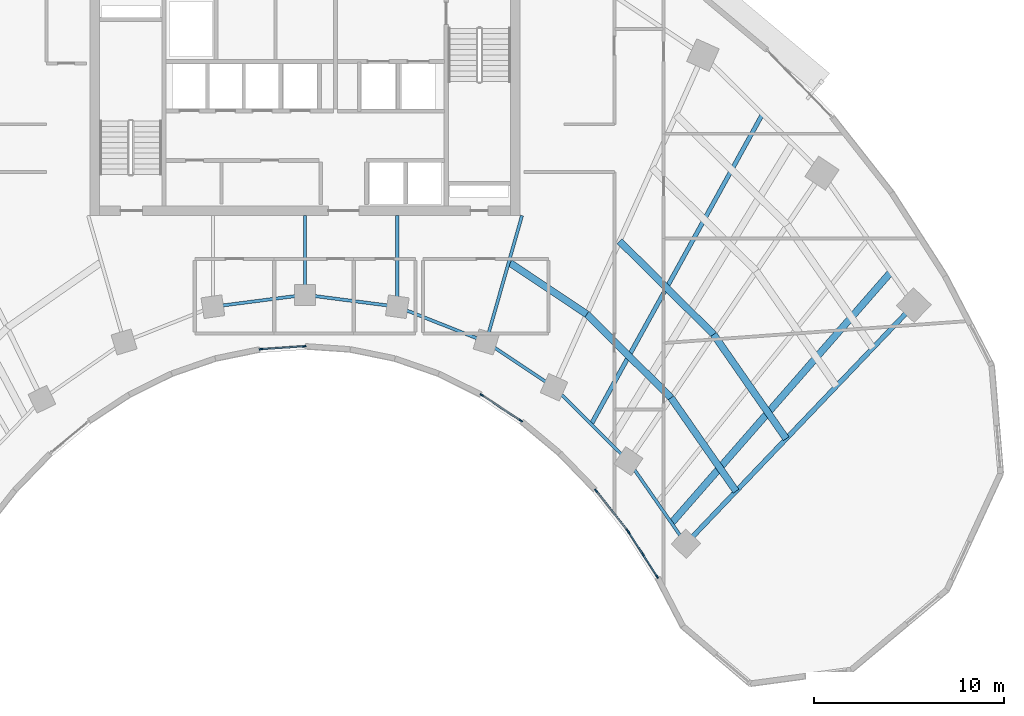
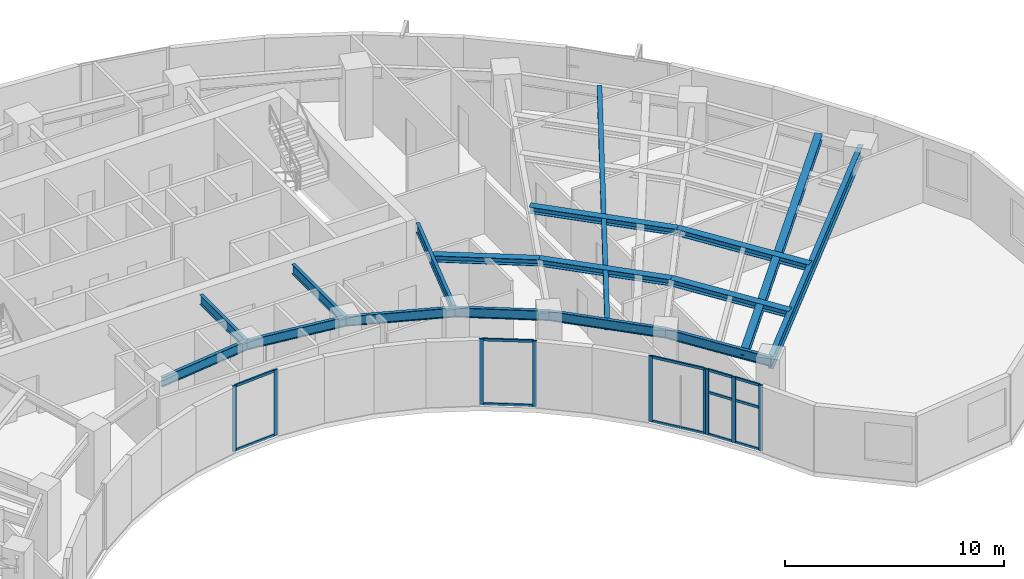
# One storey, part 3 of 14: 21 members, 17 beams, 4 elements without a shape of their own.
"""IFC4 building model written with IfcOpenShell, lengths in metres."""

import ifcopenshell
import ifcopenshell.guid

model = None  # the IFC model being written
_history = None  # IfcOwnerHistory: only IFC2X3 demands one
_inside = {}  # id of a spatial element -> (the spatial element, [elements in it])
_under = {}  # id of a project, library or spatial element -> (it, [spatial elements below it])
_declared = {}  # id of a project -> (the project, [libraries it declares])
_typed = {}  # id of a type object -> (the type object, [elements of that type])
_made_of = {}  # id of a material, layer set ... -> (it, [elements and type objects made of it])


def new_model(schema):
    """Start an empty IFC model of exactly this schema.

    Asked for "IFC4X3", IfcOpenShell would pick the latest addendum, in which some entities
    have other attributes; the version numbers below select the first issue.
    IFC2X3 requires an IfcOwnerHistory on every rooted entity: one is made here for all.
    """
    global model, _history
    if schema == "IFC4X3":
        model = ifcopenshell.file(schema_version=(4, 3, 0, 0))
    else:
        model = ifcopenshell.file(schema=schema)
    _inside.clear()
    _under.clear()
    _declared.clear()
    _typed.clear()
    _made_of.clear()
    _history = None
    if model.schema == "IFC2X3":
        org = make("IfcOrganization", Name="unknown")
        user = make(
            "IfcPersonAndOrganization",
            ThePerson=make("IfcPerson", FamilyName="unknown"),
            TheOrganization=org,
        )
        app = make(
            "IfcApplication",
            ApplicationDeveloper=org,
            Version="unknown",
            ApplicationFullName="unknown",
            ApplicationIdentifier="unknown",
        )
        _history = make(
            "IfcOwnerHistory",
            OwningUser=user,
            OwningApplication=app,
            ChangeAction="ADDED",
            CreationDate=0,
        )
    return model


def make(cls, **values):
    """One entity of the class cls with the attributes given. An attribute that is None is left unset."""
    return model.create_entity(
        cls, **{name: value for name, value in values.items() if value is not None}
    )


def rooted(cls, **values):
    """An entity with a GlobalId (a new one), such as an element, a storey or a relation."""
    return make(cls, GlobalId=ifcopenshell.guid.new(), OwnerHistory=_history, **values)


def si_unit(unit_type, name, prefix=None):
    """IfcSIUnit, for example si_unit("LENGTHUNIT", "METRE", prefix="MILLI")."""
    return make("IfcSIUnit", UnitType=unit_type, Prefix=prefix, Name=name)


def assignment(units):
    """IfcUnitAssignment: the units of a project."""
    return None if units is None else make("IfcUnitAssignment", Units=units)


def point(xyz):
    """IfcCartesianPoint."""
    return None if xyz is None else make("IfcCartesianPoint", Coordinates=xyz)


def direction(xyz):
    """IfcDirection."""
    return None if xyz is None else make("IfcDirection", DirectionRatios=xyz)


def frame(location, z_axis=None, x_axis=None):
    """IfcAxis2Placement3D, a coordinate frame: its origin and axes. An axis left out is left unset."""
    return make(
        "IfcAxis2Placement3D",
        Location=point(location),
        Axis=direction(z_axis),
        RefDirection=direction(x_axis),
    )


def frame_2d(location, x_axis=None):
    """IfcAxis2Placement2D, a coordinate frame in the plane: its origin and x axis."""
    return make(
        "IfcAxis2Placement2D", Location=point(location), RefDirection=direction(x_axis)
    )


def origin():
    """The frame at (0, 0, 0) with its axes left unset."""
    return frame((0.0, 0.0, 0.0))


def origin_2d():
    """The frame at (0, 0) in the plane with its x axis left unset."""
    return frame_2d((0.0, 0.0))


def place(relative_to, where):
    """IfcLocalPlacement: puts the frame where relative to a parent placement (None: the world)."""
    return make(
        "IfcLocalPlacement", PlacementRelTo=relative_to, RelativePlacement=where
    )


def context(
    kind, dimensions, precision=None, world=None, true_north=None, identifier=None
):
    """IfcGeometricRepresentationContext, for example the 3D "Model" context."""
    return make(
        "IfcGeometricRepresentationContext",
        ContextIdentifier=identifier,
        ContextType=kind,
        CoordinateSpaceDimension=dimensions,
        Precision=precision,
        WorldCoordinateSystem=world,
        TrueNorth=true_north,
    )


def subcontext(parent, identifier, kind, view, scale=None):
    """IfcGeometricRepresentationSubContext, for example "Body" below "Model"."""
    return make(
        "IfcGeometricRepresentationSubContext",
        ContextIdentifier=identifier,
        ContextType=kind,
        ParentContext=parent,
        TargetScale=scale,
        TargetView=view,
    )


def project(units=None, contexts=None):
    """IfcProject with its units and contexts."""
    return rooted(
        "IfcProject",
        Name="project",
        RepresentationContexts=contexts,
        UnitsInContext=assignment(units),
    )


def spatial(cls, under=None, at=None, **own):
    """A site, building, storey or space (cls), placed at a placement, below another one or the project."""
    s = rooted(cls, ObjectPlacement=at, **own)
    if under is not None:
        _under.setdefault(under.id(), (under, []))[1].append(s)
    return s


def profile(cls, at=None, kind="AREA", **sizes):
    """A parametric profile (cls). Its sizes go by their IFC names, for example OverallWidth=200.0."""
    return make(cls, ProfileType=kind, Position=at, **sizes)


def rectangle(**sizes):
    """IfcRectangleProfileDef."""
    return profile("IfcRectangleProfileDef", **sizes)


def i_section(**sizes):
    """IfcIShapeProfileDef."""
    return profile("IfcIShapeProfileDef", **sizes)


def extrude(swept, where, along, depth):
    """IfcExtrudedAreaSolid: the profile swept, set in the frame where, extruded along a direction by depth."""
    return make(
        "IfcExtrudedAreaSolid",
        SweptArea=swept,
        Position=where,
        ExtrudedDirection=direction(along),
        Depth=depth,
    )


def shape(context_of_items, identifier, shape_type, items):
    """IfcShapeRepresentation: the items that make up one representation, for example the "Body"."""
    return make(
        "IfcShapeRepresentation",
        ContextOfItems=context_of_items,
        RepresentationIdentifier=identifier,
        RepresentationType=shape_type,
        Items=items,
    )


def source(mapping_origin, context_of_items, identifier, shape_type, items):
    """IfcRepresentationMap: a shape defined once, which mapped items show again and again."""
    return make(
        "IfcRepresentationMap",
        MappingOrigin=mapping_origin,
        MappedRepresentation=shape(context_of_items, identifier, shape_type, items),
    )


def transform(
    local_origin,
    x_axis=None,
    y_axis=None,
    z_axis=None,
    scale=None,
    scale2=None,
    scale3=None,
    uniform=True,
):
    """IfcCartesianTransformationOperator3D, or its non-uniform kind. x_axis, y_axis, z_axis: its Axis1, 2, 3."""
    if uniform:
        return make(
            "IfcCartesianTransformationOperator3D",
            Axis1=direction(x_axis),
            Axis2=direction(y_axis),
            LocalOrigin=point(local_origin),
            Scale=scale,
            Axis3=direction(z_axis),
        )
    return make(
        "IfcCartesianTransformationOperator3DnonUniform",
        Axis1=direction(x_axis),
        Axis2=direction(y_axis),
        LocalOrigin=point(local_origin),
        Scale=scale,
        Axis3=direction(z_axis),
        Scale2=scale2,
        Scale3=scale3,
    )


def mapped(mapping_source, mapping_target):
    """IfcMappedItem: shows the shape of a source again, moved by a transform."""
    return make(
        "IfcMappedItem", MappingSource=mapping_source, MappingTarget=mapping_target
    )


def material(Name=None, Category=None):
    """IfcMaterial."""
    return make("IfcMaterial", Name=Name, Category=Category)


def layer(
    of_material, thickness, ventilated=None, Name=None, Category=None, Priority=None
):
    """IfcMaterialLayer: one layer of a wall or slab, of a material (None: an air gap)."""
    return make(
        "IfcMaterialLayer",
        Material=of_material,
        LayerThickness=thickness,
        IsVentilated=ventilated,
        Name=Name,
        Category=Category,
        Priority=Priority,
    )


def layer_set(layers, Name=None):
    """IfcMaterialLayerSet."""
    return make("IfcMaterialLayerSet", MaterialLayers=layers, LayerSetName=Name)


def material_profile(
    of_material, cross_section, Name=None, Category=None, Priority=None
):
    """IfcMaterialProfile: a cross section and its material."""
    return make(
        "IfcMaterialProfile",
        Name=Name,
        Material=of_material,
        Profile=cross_section,
        Priority=Priority,
        Category=Category,
    )


def profile_set(profiles, Name=None, composite=None):
    """IfcMaterialProfileSet."""
    return make(
        "IfcMaterialProfileSet",
        Name=Name,
        MaterialProfiles=profiles,
        CompositeProfile=composite,
    )


def made_of(thing, what):
    """Note that an element or type object is made of a material, layer set ...; save() writes the relation."""
    if what is not None:
        _made_of.setdefault(what.id(), (what, []))[1].append(thing)
    return thing


def type_object(cls, material=None, **own):
    """A type object (cls), such as IfcWallType, which elements share."""
    return made_of(rooted(cls, **own), material)


def type_shapes(of_type, sources):
    """Give a type object the sources (RepresentationMaps) that its elements show as mapped items."""
    of_type.RepresentationMaps = sources


def element(
    cls,
    number,
    at=None,
    inside=None,
    cuts=None,
    type_object=None,
    material=None,
    context=None,
    identifier="Body",
    shape_type=None,
    held_by="IfcProductDefinitionShape",
    body=None,
    shapes=None,
    **own,
):
    """One element of the class cls, such as IfcWall. Its Tag is "e" and its number.

    at: its placement. inside: the storey or other place that contains it. cuts: it is an
    opening in that element (IfcRelVoidsElement). A single representation is given by context,
    identifier, shape_type and body (its items); several are given by shapes. held_by: the class
    of the entity that holds the representations. save() writes the other relations.
    """
    e = rooted(cls, Tag="e%d" % number, ObjectPlacement=at, **own)
    if body is not None:
        shapes = [shape(context, identifier, shape_type, body)]
    if shapes is not None:
        e.Representation = make(held_by, Representations=shapes)
    if inside is not None:
        _inside.setdefault(inside.id(), (inside, []))[1].append(e)
    if cuts is not None:
        rooted(
            "IfcRelVoidsElement", RelatingBuildingElement=cuts, RelatedOpeningElement=e
        )
    if type_object is not None:
        _typed.setdefault(type_object.id(), (type_object, []))[1].append(e)
    return made_of(e, material)


def aggregate(whole, parts):
    """IfcRelAggregates: a whole, such as a stair, and the parts it consists of."""
    return rooted("IfcRelAggregates", RelatingObject=whole, RelatedObjects=parts)


def save(model, path):
    """Write the relations noted so far, then the file.

    IfcRelAggregates (storeys below a building ...), IfcRelContainedInSpatialStructure (elements
    in a storey), IfcRelDefinesByType, IfcRelAssociatesMaterial and IfcRelDeclares: one each for
    every whole, place, type object, material and project.
    """
    for whole, parts in _under.values():
        aggregate(whole, parts)
    for where, things in _inside.values():
        rooted(
            "IfcRelContainedInSpatialStructure",
            RelatedElements=things,
            RelatingStructure=where,
        )
    for kind, things in _typed.values():
        rooted("IfcRelDefinesByType", RelatedObjects=things, RelatingType=kind)
    for what, things in _made_of.values():
        rooted("IfcRelAssociatesMaterial", RelatedObjects=things, RelatingMaterial=what)
    for by, libraries in _declared.values():
        rooted("IfcRelDeclares", RelatingContext=by, RelatedDefinitions=libraries)
    model.write(path)


model = new_model("IFC4")

# Units and contexts
model_context = context("Model", 3, precision=1e-05, world=origin(), true_north=direction((0.0, 1.0)))
body_context = subcontext(model_context, "Body", "Model", "MODEL_VIEW")
ifc_project = project(units=[si_unit("LENGTHUNIT", "METRE"), si_unit("AREAUNIT", "SQUARE_METRE"), si_unit("VOLUMEUNIT", "CUBIC_METRE"), si_unit("PLANEANGLEUNIT", "RADIAN"), si_unit("MASSUNIT", "GRAM", prefix="KILO")], contexts=[model_context])

# Site, building, storey
site_placement = place(None, origin())
site = spatial("IfcSite", under=ifc_project, at=site_placement, CompositionType="ELEMENT")
building_placement = place(site_placement, origin())
building = spatial("IfcBuilding", under=site, at=building_placement, Name="Breltana Convention Tower", CompositionType="ELEMENT")
storey_placement = place(building_placement, frame((0.0, 0.0, 103.800048828125)))
storey = spatial("IfcBuildingStorey", under=building, at=storey_placement, Name="L24", CompositionType="ELEMENT", Elevation=103.800048828125)

# Beams
ifc_material_1 = material(Name="Steel ASTM A992 Grade 50", Category="steel")
ifc_material_profile_1 = material_profile(ifc_material_1, i_section(OverallWidth=0.25390625, OverallDepth=0.68798828125, WebThickness=0.01318359375, FlangeThickness=0.02099609375, at=origin_2d()), Name="W27X102")
ifc_profile_set_1 = profile_set([ifc_material_profile_1], Name="Steel ASTM A992 Grade 50")
beam_type_1 = type_object("IfcBeamType", Name="BM-RG-W27X102", PredefinedType="USERDEFINED", material=ifc_profile_set_1)
shared_shape_1 = source(origin(), body_context, "Body", "SweptSolid", [
    extrude(i_section(OverallWidth=0.25390625, OverallDepth=0.68798828125, WebThickness=0.01318359375, FlangeThickness=0.02099609375, at=origin_2d()), origin(), (0.0, 0.0, 1.0), 17.341064453125),
])
type_shapes(beam_type_1, [shared_shape_1])
beam_1_placement = place(storey_placement, frame((68.015380859375, 42.95458984375, 3.305908203125), z_axis=(0.690716462293, 0.723125693581, 0.0), x_axis=(-0.723125693581, 0.690716462293, 0.0)))
element("IfcBeam", 1, at=beam_1_placement, inside=storey, type_object=beam_type_1, Name="L24 Radial Floor Girder R11", ObjectType="GIRDER", PredefinedType="USERDEFINED", context=body_context, shape_type="MappedRepresentation", body=[
    mapped(shared_shape_1, transform((0.0, 0.0, 0.0), scale=1.0)),
])
ifc_material_profile_2 = material_profile(ifc_material_1, i_section(OverallWidth=0.166015625, OverallDepth=0.534912109375, WebThickness=0.01025390625, FlangeThickness=0.0166015625, at=origin_2d()), Name="W21X57")
ifc_profile_set_2 = profile_set([ifc_material_profile_2], Name="Steel ASTM A992 Grade 50")
beam_type_2 = type_object("IfcBeamType", Name="BM-BM-W21X57", PredefinedType="BEAM", material=ifc_profile_set_2)
shared_shape_2 = source(origin(), body_context, "Body", "SweptSolid", [
    extrude(i_section(OverallWidth=0.166015625, OverallDepth=0.534912109375, WebThickness=0.01025390625, FlangeThickness=0.0166015625, at=origin_2d()), origin(), (0.0, 0.0, 1.0), 6.904541015625),
])
type_shapes(beam_type_2, [shared_shape_2])
beam_2_placement = place(storey_placement, frame((59.39990234375, 60.199951171875, 3.382568359375), z_axis=(-0.273006781054, -0.962012108811, 0.0), x_axis=(0.962012108811, -0.273006781054, 0.0)))
element("IfcBeam", 2, at=beam_2_placement, inside=storey, type_object=beam_type_2, Name="L24 South Core Tie Girder R08", PredefinedType="BEAM", context=body_context, shape_type="MappedRepresentation", body=[
    mapped(shared_shape_2, transform((0.0, 0.0, 0.0), scale=1.0)),
])
shared_shape_3 = source(origin(), body_context, "Body", "SweptSolid", [
    extrude(i_section(OverallWidth=0.166015625, OverallDepth=0.534912109375, WebThickness=0.01025390625, FlangeThickness=0.0166015625, at=origin_2d()), origin(), (0.0, 0.0, 1.0), 4.789306640625),
])
beam_3_placement = place(storey_placement, frame((52.846435546875, 60.199951171875, 3.382568359375), z_axis=(0.0, -1.0, 0.0), x_axis=(1.0, 0.0, 0.0)))
element("IfcBeam", 3, at=beam_3_placement, inside=storey, type_object=beam_type_2, Name="L24 South Core Tie Girder R07", PredefinedType="BEAM", context=body_context, shape_type="MappedRepresentation", body=[
    mapped(shared_shape_3, transform((0.0, 0.0, 0.0), scale=1.0)),
])
shared_shape_4 = source(origin(), body_context, "Body", "SweptSolid", [
    extrude(i_section(OverallWidth=0.166015625, OverallDepth=0.534912109375, WebThickness=0.01025390625, FlangeThickness=0.0166015625, at=origin_2d()), origin(), (0.0, 0.0, 1.0), 4.1640625),
])
beam_4_placement = place(storey_placement, frame((48.0, 60.199951171875, 3.382568359375), z_axis=(0.0, -1.0, 0.0), x_axis=(1.0, 0.0, 0.0)))
element("IfcBeam", 4, at=beam_4_placement, inside=storey, type_object=beam_type_2, Name="L24 South Core Tie Girder R06", PredefinedType="BEAM", context=body_context, shape_type="MappedRepresentation", body=[
    mapped(shared_shape_4, transform((0.0, 0.0, 0.0), scale=1.0)),
])
shared_shape_5 = source(origin(), body_context, "Body", "SweptSolid", [
    extrude(i_section(OverallWidth=0.166015625, OverallDepth=0.534912109375, WebThickness=0.01025390625, FlangeThickness=0.0166015625, at=origin_2d()), origin(), (0.0, 0.0, 1.0), 5.022705078125),
])
beam_5_placement = place(storey_placement, frame((52.846435546875, 55.41064453125, 3.382568359375), z_axis=(0.929458966248, -0.368925507469, 0.0), x_axis=(0.368925507469, 0.929458966248, 0.0)))
element("IfcBeam", 5, at=beam_5_placement, inside=storey, type_object=beam_type_2, Name="L24 Inner Ring Beam 07", PredefinedType="BEAM", context=body_context, shape_type="MappedRepresentation", body=[
    mapped(shared_shape_5, transform((0.0, 0.0, 0.0), scale=1.0)),
])
shared_shape_6 = source(origin(), body_context, "Body", "SweptSolid", [
    extrude(i_section(OverallWidth=0.166015625, OverallDepth=0.534912109375, WebThickness=0.01025390625, FlangeThickness=0.0166015625, at=origin_2d()), origin(), (0.0, 0.0, 1.0), 4.88671875),
])
for number, where, z_axis, x_axis, name in (
    (6, (43.153564453125, 55.41064453125, 3.382568359375), (0.991780525565, 0.127950729231, 0.0), (-0.127950729231, 0.991780525565, 0.0), "L24 Inner Ring Beam 05"),
    (7, (48.0, 56.035888671875, 3.382568359375), (0.991780525565, -0.127950729231, 0.0), (0.127950729231, 0.991780525565, 0.0), "L24 Inner Ring Beam 06"),
):
    element("IfcBeam", number, at=place(storey_placement, frame(where, z_axis=z_axis, x_axis=x_axis)), inside=storey, type_object=beam_type_2, Name=name, PredefinedType="BEAM", context=body_context, shape_type="MappedRepresentation", body=[
        mapped(shared_shape_6, transform((0.0, 0.0, 0.0), scale=1.0)),
    ])
shared_shape_7 = source(origin(), body_context, "Body", "SweptSolid", [
    extrude(i_section(OverallWidth=0.166015625, OverallDepth=0.534912109375, WebThickness=0.01025390625, FlangeThickness=0.0166015625, at=origin_2d()), origin(), (0.0, 0.0, 1.0), 4.2900390625),
])
beam_6_placement = place(storey_placement, frame((57.514892578125, 53.5576171875, 3.382568359375), z_axis=(0.831515827753, -0.555501060482, 0.0), x_axis=(0.555501060482, 0.831515827753, 0.0)))
element("IfcBeam", 8, at=beam_6_placement, inside=storey, type_object=beam_type_2, Name="L24 Inner Ring Beam 08", PredefinedType="BEAM", context=body_context, shape_type="MappedRepresentation", body=[
    mapped(shared_shape_7, transform((0.0, 0.0, 0.0), scale=1.0)),
])
shared_shape_8 = source(origin(), body_context, "Body", "SweptSolid", [
    extrude(i_section(OverallWidth=0.166015625, OverallDepth=0.534912109375, WebThickness=0.01025390625, FlangeThickness=0.0166015625, at=origin_2d()), origin(), (0.0, 0.0, 1.0), 5.51171875),
])
beam_7_placement = place(storey_placement, frame((61.08203125, 51.174560546875, 3.382568359375), z_axis=(0.710090360749, -0.704110559196, 0.0), x_axis=(0.704110559196, 0.710090360749, 0.0)))
element("IfcBeam", 9, at=beam_7_placement, inside=storey, type_object=beam_type_2, Name="L24 Inner Ring Beam 09", PredefinedType="BEAM", context=body_context, shape_type="MappedRepresentation", body=[
    mapped(shared_shape_8, transform((0.0, 0.0, 0.0), scale=1.0)),
])
shared_shape_9 = source(origin(), body_context, "Body", "SweptSolid", [
    extrude(i_section(OverallWidth=0.166015625, OverallDepth=0.534912109375, WebThickness=0.01025390625, FlangeThickness=0.0166015625, at=origin_2d()), origin(), (0.0, 0.0, 1.0), 5.286376953125),
])
beam_8_placement = place(storey_placement, frame((64.995849609375, 47.293701171875, 3.382568359375), z_axis=(0.571194382458, -0.82081482531, 0.0), x_axis=(0.82081482531, 0.571194382458, 0.0)))
element("IfcBeam", 10, at=beam_8_placement, inside=storey, type_object=beam_type_2, Name="L24 Inner Ring Beam 10", PredefinedType="BEAM", context=body_context, shape_type="MappedRepresentation", body=[
    mapped(shared_shape_9, transform((0.0, 0.0, 0.0), scale=1.0)),
])
ifc_material_profile_3 = material_profile(ifc_material_1, i_section(OverallWidth=0.368896484375, OverallDepth=0.35595703125, WebThickness=0.01123046875, FlangeThickness=0.01806640625, at=origin_2d()), Name="W14X90")
ifc_profile_set_3 = profile_set([ifc_material_profile_3], Name="Steel ASTM A992 Grade 50")
beam_type_3 = type_object("IfcBeamType", Name="BM-JSG-09", PredefinedType="JOIST", material=ifc_profile_set_3)
shared_shape_10 = source(origin(), body_context, "Body", "SweptSolid", [
    extrude(i_section(OverallWidth=0.368896484375, OverallDepth=0.35595703125, WebThickness=0.01123046875, FlangeThickness=0.01806640625, at=origin_2d()), origin(), (0.0, 0.0, 1.0), 4.854736328125),
])
beam_9_placement = place(storey_placement, frame((58.767578125, 57.71240234375, 3.471923828125), z_axis=(0.831485074305, -0.555547091801, 0.0), x_axis=(0.555547091801, 0.831485074305, 0.0)))
element("IfcBeam", 11, at=beam_9_placement, inside=storey, type_object=beam_type_3, Name="L24 Composite Floor Joist 08.1", PredefinedType="JOIST", context=body_context, shape_type="MappedRepresentation", body=[
    mapped(shared_shape_10, transform((0.0, 0.0, 0.0), scale=1.0)),
])
shared_shape_11 = source(origin(), body_context, "Body", "SweptSolid", [
    extrude(i_section(OverallWidth=0.368896484375, OverallDepth=0.35595703125, WebThickness=0.01123046875, FlangeThickness=0.01806640625, at=origin_2d()), origin(), (0.0, 0.0, 1.0), 6.2373046875),
])
beam_10_placement = place(storey_placement, frame((62.80419921875, 55.015380859375, 3.471923828125), z_axis=(0.710114292485, -0.704086423394, 0.0), x_axis=(0.704086423394, 0.710114292485, 0.0)))
element("IfcBeam", 12, at=beam_10_placement, inside=storey, type_object=beam_type_3, Name="L24 Composite Floor Joist 09.1", PredefinedType="JOIST", context=body_context, shape_type="MappedRepresentation", body=[
    mapped(shared_shape_11, transform((0.0, 0.0, 0.0), scale=1.0)),
])
shared_shape_12 = source(origin(), body_context, "Body", "SweptSolid", [
    extrude(i_section(OverallWidth=0.368896484375, OverallDepth=0.35595703125, WebThickness=0.01123046875, FlangeThickness=0.01806640625, at=origin_2d()), origin(), (0.0, 0.0, 1.0), 6.963134765625),
])
beam_11_placement = place(storey_placement, frame((64.526611328125, 58.8564453125, 3.471923828125), z_axis=(0.71009817493, -0.704102678564, 0.0), x_axis=(0.704102678564, 0.71009817493, 0.0)))
element("IfcBeam", 13, at=beam_11_placement, inside=storey, type_object=beam_type_3, Name="L24 Composite Floor Joist 09.2", PredefinedType="JOIST", context=body_context, shape_type="MappedRepresentation", body=[
    mapped(shared_shape_12, transform((0.0, 0.0, 0.0), scale=1.0)),
])
ifc_material_profile_4 = material_profile(ifc_material_1, i_section(OverallWidth=0.22802734375, OverallDepth=0.60791015625, WebThickness=0.01123046875, FlangeThickness=0.017333984375, at=origin_2d()), Name="W24X76")
ifc_profile_set_4 = profile_set([ifc_material_profile_4], Name="Steel ASTM A992 Grade 50")
beam_type_4 = type_object("IfcBeamType", Name="BM-JSG-02", PredefinedType="JOIST", material=ifc_profile_set_4)
shared_shape_13 = source(origin(), body_context, "Body", "SweptSolid", [
    extrude(i_section(OverallWidth=0.22802734375, OverallDepth=0.60791015625, WebThickness=0.01123046875, FlangeThickness=0.017333984375, at=origin_2d()), origin(), (0.0, 0.0, 1.0), 18.617431640625),
])
beam_12_placement = place(storey_placement, frame((63.038818359375, 49.234130859375, 3.345947265625), z_axis=(0.483405602507, 0.875396495004, 0.0), x_axis=(-0.875396495004, 0.483405602507, 0.0)))
element("IfcBeam", 14, at=beam_12_placement, inside=storey, type_object=beam_type_4, Name="L24 Mid-Bay Radial Trimmer 09", PredefinedType="JOIST", context=body_context, shape_type="MappedRepresentation", body=[
    mapped(shared_shape_13, transform((0.0, 0.0, 0.0), scale=1.0)),
])
shared_shape_14 = source(origin(), body_context, "Body", "SweptSolid", [
    extrude(i_section(OverallWidth=0.368896484375, OverallDepth=0.35595703125, WebThickness=0.01123046875, FlangeThickness=0.01806640625, at=origin_2d()), origin(), (0.0, 0.0, 1.0), 5.982421875),
])
beam_13_placement = place(storey_placement, frame((67.2333984375, 50.623779296875, 3.471923828125), z_axis=(0.571211549446, -0.82080287876, 0.0), x_axis=(0.82080287876, 0.571211549446, 0.0)))
element("IfcBeam", 15, at=beam_13_placement, inside=storey, type_object=beam_type_3, Name="L24 Composite Floor Joist 10.1", PredefinedType="JOIST", context=body_context, shape_type="MappedRepresentation", body=[
    mapped(shared_shape_14, transform((0.0, 0.0, 0.0), scale=1.0)),
])
shared_shape_15 = source(origin(), body_context, "Body", "SweptSolid", [
    extrude(i_section(OverallWidth=0.368896484375, OverallDepth=0.35595703125, WebThickness=0.01123046875, FlangeThickness=0.01806640625, at=origin_2d()), origin(), (0.0, 0.0, 1.0), 6.677978515625),
])
beam_14_placement = place(storey_placement, frame((69.47119140625, 53.95361328125, 3.471923828125), z_axis=(0.571193018768, -0.820815774282, 0.0), x_axis=(0.820815774282, 0.571193018768, 0.0)))
element("IfcBeam", 16, at=beam_14_placement, inside=storey, type_object=beam_type_3, Name="L24 Composite Floor Joist 10.2", PredefinedType="JOIST", context=body_context, shape_type="MappedRepresentation", body=[
    mapped(shared_shape_15, transform((0.0, 0.0, 0.0), scale=1.0)),
])
shared_shape_16 = source(origin(), body_context, "Body", "SweptSolid", [
    extrude(i_section(OverallWidth=0.368896484375, OverallDepth=0.35595703125, WebThickness=0.01123046875, FlangeThickness=0.01806640625, at=origin_2d()), origin(), (0.0, 0.0, 1.0), 17.515625),
])
beam_15_placement = place(storey_placement, frame((67.260498046875, 44.03955078125, 3.471923828125), z_axis=(0.658051548324, 0.752972881151, 0.0), x_axis=(-0.752972881151, 0.658051548324, 0.0)))
element("IfcBeam", 17, at=beam_15_placement, inside=storey, type_object=beam_type_3, Name="L24 Quarter-Bay Radial Trimmer 10", PredefinedType="JOIST", context=body_context, shape_type="MappedRepresentation", body=[
    mapped(shared_shape_16, transform((0.0, 0.0, 0.0), scale=1.0)),
])

# Curtain wall, members
ifc_material_2 = material(Name="Aluminium Anodised Bronze Frame", Category="aluminium")
ifc_layer = layer(ifc_material_2, 0.18994140625, Name="Aluminium Anodised Bronze Frame")
ifc_layer_set = layer_set([ifc_layer], Name="Aluminium Anodised Bronze Frame")
curtain_wall_type = type_object("IfcCurtainWallType", Name="CW-SYS-1", PredefinedType="NOTDEFINED", material=ifc_layer_set)
curtain_wall_1_placement = place(storey_placement, origin())
curtain_wall_1 = element("IfcCurtainWall", 18, at=curtain_wall_1_placement, inside=storey, type_object=curtain_wall_type, Name="L24 inner south-court glazing 1", PredefinedType="NOTDEFINED")
ifc_material_3 = material(Name="Aluminium Anodised Bronze", Category="aluminium")
ifc_material_profile_5 = material_profile(ifc_material_3, rectangle(XDim=0.080078125, YDim=0.139892578125, at=origin_2d()), Name="CWT-80X140")
ifc_profile_set_5 = profile_set([ifc_material_profile_5], Name="Aluminium Anodised Bronze")
member_type_1 = type_object("IfcMemberType", Name="CWT-140", PredefinedType="USERDEFINED", material=ifc_profile_set_5)
shared_shape_17 = source(origin(), body_context, "Body", "SweptSolid", [
    extrude(rectangle(XDim=0.080078125, YDim=0.139892578125, at=origin_2d()), origin(), (0.0, 0.0, 1.0), 1.30029296875),
])
member_1_placement = place(storey_placement, frame((66.4794921875, 41.259521484375, 0.0400390625), z_axis=(-0.540188084224, 0.841544314735, 0.0), x_axis=(-0.841544314735, -0.540188084224, 0.0)))
member_1 = element("IfcMember", 19, at=member_1_placement, type_object=member_type_1, Name="CW-01 transom 1.1", ObjectType="TRANSOM", PredefinedType="USERDEFINED", context=body_context, shape_type="MappedRepresentation", body=[
    mapped(shared_shape_17, transform((0.0, 0.0, 0.0), scale=1.0)),
])
member_2_placement = place(storey_placement, frame((66.4794921875, 41.259521484375, 2.37255859375), z_axis=(-0.540188084224, 0.841544314735, 0.0), x_axis=(-0.841544314735, -0.540188084224, 0.0)))
member_2 = element("IfcMember", 20, at=member_2_placement, type_object=member_type_1, Name="CW-01 transom 1.2", ObjectType="TRANSOM", PredefinedType="USERDEFINED", context=body_context, shape_type="MappedRepresentation", body=[
    mapped(shared_shape_17, transform((0.0, 0.0, 0.0), scale=1.0)),
])
member_3_placement = place(storey_placement, frame((66.4794921875, 41.259521484375, 3.60986328125), z_axis=(-0.540188084224, 0.841544314735, 0.0), x_axis=(-0.841544314735, -0.540188084224, 0.0)))
member_3 = element("IfcMember", 21, at=member_3_placement, type_object=member_type_1, Name="CW-01 transom 1.3", ObjectType="TRANSOM", PredefinedType="USERDEFINED", context=body_context, shape_type="MappedRepresentation", body=[
    mapped(shared_shape_17, transform((0.0, 0.0, 0.0), scale=1.0)),
])
shared_shape_18 = source(origin(), body_context, "Body", "SweptSolid", [
    extrude(rectangle(XDim=0.080078125, YDim=0.139892578125, at=origin_2d()), origin(), (0.0, 0.0, 1.0), 1.300048828125),
])
member_4_placement = place(storey_placement, frame((65.73388671875, 42.4208984375, 0.0400390625), z_axis=(-0.540140453972, 0.841574886735, 0.0), x_axis=(-0.841574886735, -0.540140453972, 0.0)))
member_4 = element("IfcMember", 22, at=member_4_placement, type_object=member_type_1, Name="CW-01 transom 2.1", ObjectType="TRANSOM", PredefinedType="USERDEFINED", context=body_context, shape_type="MappedRepresentation", body=[
    mapped(shared_shape_18, transform((0.0, 0.0, 0.0), scale=1.0)),
])
member_5_placement = place(storey_placement, frame((65.73388671875, 42.4208984375, 2.37255859375), z_axis=(-0.540140453972, 0.841574886735, 0.0), x_axis=(-0.841574886735, -0.540140453972, 0.0)))
member_5 = element("IfcMember", 23, at=member_5_placement, type_object=member_type_1, Name="CW-01 transom 2.2", ObjectType="TRANSOM", PredefinedType="USERDEFINED", context=body_context, shape_type="MappedRepresentation", body=[
    mapped(shared_shape_18, transform((0.0, 0.0, 0.0), scale=1.0)),
])
member_6_placement = place(storey_placement, frame((65.73388671875, 42.4208984375, 3.60986328125), z_axis=(-0.540140453972, 0.841574886735, 0.0), x_axis=(-0.841574886735, -0.540140453972, 0.0)))
member_6 = element("IfcMember", 24, at=member_6_placement, type_object=member_type_1, Name="CW-01 transom 2.3", ObjectType="TRANSOM", PredefinedType="USERDEFINED", context=body_context, shape_type="MappedRepresentation", body=[
    mapped(shared_shape_18, transform((0.0, 0.0, 0.0), scale=1.0)),
])

curtain_wall_2_placement = place(storey_placement, origin())
curtain_wall_2 = element("IfcCurtainWall", 25, at=curtain_wall_2_placement, inside=storey, type_object=curtain_wall_type, Name="L24 inner south-court glazing 2", PredefinedType="NOTDEFINED")
shared_shape_19 = source(origin(), body_context, "Body", "SweptSolid", [
    extrude(rectangle(XDim=0.080078125, YDim=0.139892578125, at=origin_2d()), origin(), (0.0, 0.0, 1.0), 2.6005859375),
])
member_7_placement = place(storey_placement, frame((64.928955078125, 43.6591796875, 0.0400390625), z_axis=(-0.618078566977, 0.786116330478, 0.0), x_axis=(-0.786116330478, -0.618078566977, 0.0)))
member_7 = element("IfcMember", 26, at=member_7_placement, type_object=member_type_1, Name="CW-01 transom 1.1", ObjectType="TRANSOM", PredefinedType="USERDEFINED", context=body_context, shape_type="MappedRepresentation", body=[
    mapped(shared_shape_19, transform((0.0, 0.0, 0.0), scale=1.0)),
])
member_8_placement = place(storey_placement, frame((64.928955078125, 43.6591796875, 3.60986328125), z_axis=(-0.618078566977, 0.786116330478, 0.0), x_axis=(-0.786116330478, -0.618078566977, 0.0)))
member_8 = element("IfcMember", 27, at=member_8_placement, type_object=member_type_1, Name="CW-01 transom 1.2", ObjectType="TRANSOM", PredefinedType="USERDEFINED", context=body_context, shape_type="MappedRepresentation", body=[
    mapped(shared_shape_19, transform((0.0, 0.0, 0.0), scale=1.0)),
])

# Member
ifc_material_profile_6 = material_profile(ifc_material_3, rectangle(XDim=0.080078125, YDim=0.199951171875, at=origin_2d()), Name="CWM-80X200")
ifc_profile_set_6 = profile_set([ifc_material_profile_6], Name="Aluminium Anodised Bronze")
member_type_2 = type_object("IfcMemberType", Name="CWM-200", PredefinedType="MULLION", material=ifc_profile_set_6)
shared_shape_20 = source(origin(), body_context, "Body", "SweptSolid", [
    extrude(rectangle(XDim=0.080078125, YDim=0.199951171875, at=origin_2d()), origin(), (0.0, 0.0, 1.0), 3.64990234375),
])
member_9_placement = place(storey_placement, frame((66.5009765625, 41.22607421875, 0.0), z_axis=(0.0, 0.0, 1.0), x_axis=(-0.841551235949, -0.5401773017, 0.0)))
member_9 = element("IfcMember", 28, at=member_9_placement, type_object=member_type_2, Name="CW-01 mullion 1", PredefinedType="MULLION", context=body_context, shape_type="MappedRepresentation", body=[
    mapped(shared_shape_20, transform((0.0, 0.0, 0.0), scale=1.0)),
])

member_10_placement = place(storey_placement, frame((65.755615234375, 42.38720703125, 0.0), z_axis=(0.0, 0.0, 1.0), x_axis=(-0.841551235949, -0.5401773017, 0.0)))
member_10 = element("IfcMember", 29, at=member_10_placement, type_object=member_type_2, Name="CW-01 mullion 2", PredefinedType="MULLION", context=body_context, shape_type="MappedRepresentation", body=[
    mapped(shared_shape_20, transform((0.0, 0.0, 0.0), scale=1.0)),
])

member_11_placement = place(storey_placement, frame((65.010009765625, 43.548583984375, 0.0), z_axis=(0.0, 0.0, 1.0), x_axis=(-0.841551235949, -0.5401773017, 0.0)))
member_11 = element("IfcMember", 30, at=member_11_placement, type_object=member_type_2, Name="CW-01 mullion 3", PredefinedType="MULLION", context=body_context, shape_type="MappedRepresentation", body=[
    mapped(shared_shape_20, transform((0.0, 0.0, 0.0), scale=1.0)),
])

aggregate(curtain_wall_1, [member_9, member_10, member_11, member_1, member_2, member_3, member_4, member_5, member_6])

member_12_placement = place(storey_placement, frame((64.953857421875, 43.6279296875, 0.0), z_axis=(0.0, 0.0, 1.0), x_axis=(-0.786054302547, -0.61815745037, 0.0)))
member_12 = element("IfcMember", 31, at=member_12_placement, type_object=member_type_2, Name="CW-01 mullion 1", PredefinedType="MULLION", context=body_context, shape_type="MappedRepresentation", body=[
    mapped(shared_shape_20, transform((0.0, 0.0, 0.0), scale=1.0)),
])

member_13_placement = place(storey_placement, frame((63.296630859375, 45.73486328125, 0.0), z_axis=(0.0, 0.0, 1.0), x_axis=(-0.786054302547, -0.61815745037, 0.0)))
member_13 = element("IfcMember", 32, at=member_13_placement, type_object=member_type_2, Name="CW-01 mullion 2", PredefinedType="MULLION", context=body_context, shape_type="MappedRepresentation", body=[
    mapped(shared_shape_20, transform((0.0, 0.0, 0.0), scale=1.0)),
])

aggregate(curtain_wall_2, [member_12, member_13, member_7, member_8])

# Curtain wall, members
curtain_wall_3_placement = place(storey_placement, origin())
curtain_wall_3 = element("IfcCurtainWall", 33, at=curtain_wall_3_placement, inside=storey, type_object=curtain_wall_type, Name="L24 inner south-court glazing 3", PredefinedType="NOTDEFINED")
member_14_placement = place(storey_placement, frame((59.337158203125, 49.421142578125, 0.0), z_axis=(0.0, 0.0, 1.0), x_axis=(-0.548778301858, -0.835967927261, 0.0)))
member_14 = element("IfcMember", 34, at=member_14_placement, type_object=member_type_2, Name="CW-01 mullion 1", PredefinedType="MULLION", context=body_context, shape_type="MappedRepresentation", body=[
    mapped(shared_shape_20, transform((0.0, 0.0, 0.0), scale=1.0)),
])
member_15_placement = place(storey_placement, frame((57.291259765625, 50.76416015625, 0.0), z_axis=(0.0, 0.0, 1.0), x_axis=(-0.548778301858, -0.835967927261, 0.0)))
member_15 = element("IfcMember", 35, at=member_15_placement, type_object=member_type_2, Name="CW-01 mullion 2", PredefinedType="MULLION", context=body_context, shape_type="MappedRepresentation", body=[
    mapped(shared_shape_20, transform((0.0, 0.0, 0.0), scale=1.0)),
])

curtain_wall_4_placement = place(storey_placement, origin())
curtain_wall_4 = element("IfcCurtainWall", 36, at=curtain_wall_4_placement, inside=storey, type_object=curtain_wall_type, Name="L24 inner south-court glazing 4", PredefinedType="NOTDEFINED")
member_16_placement = place(storey_placement, frame((47.947998046875, 53.331787109375, 0.0), z_axis=(0.0, 0.0, 1.0), x_axis=(0.067728021582, -0.997703821328, 0.0)))
member_16 = element("IfcMember", 37, at=member_16_placement, type_object=member_type_2, Name="CW-01 mullion 1", PredefinedType="MULLION", context=body_context, shape_type="MappedRepresentation", body=[
    mapped(shared_shape_20, transform((0.0, 0.0, 0.0), scale=1.0)),
])
member_17_placement = place(storey_placement, frame((45.67822265625, 53.177734375, 0.0), z_axis=(0.0, 0.0, 1.0), x_axis=(0.067728021582, -0.997703821328, 0.0)))
member_17 = element("IfcMember", 38, at=member_17_placement, type_object=member_type_2, Name="CW-01 mullion 2", PredefinedType="MULLION", context=body_context, shape_type="MappedRepresentation", body=[
    mapped(shared_shape_20, transform((0.0, 0.0, 0.0), scale=1.0)),
])

# Member
shared_shape_21 = source(origin(), body_context, "Body", "SweptSolid", [
    extrude(rectangle(XDim=0.080078125, YDim=0.139892578125, at=origin_2d()), origin(), (0.0, 0.0, 1.0), 2.3671875),
])
member_18_placement = place(storey_placement, frame((59.3037109375, 49.443115234375, 0.0400390625), z_axis=(-0.835979901311, 0.548760061051, 0.0), x_axis=(-0.548760061051, -0.835979901311, 0.0)))
member_18 = element("IfcMember", 39, at=member_18_placement, type_object=member_type_1, Name="CW-01 transom 1.1", ObjectType="TRANSOM", PredefinedType="USERDEFINED", context=body_context, shape_type="MappedRepresentation", body=[
    mapped(shared_shape_21, transform((0.0, 0.0, 0.0), scale=1.0)),
])

member_19_placement = place(storey_placement, frame((59.3037109375, 49.443115234375, 3.60986328125), z_axis=(-0.835979901311, 0.548760061051, 0.0), x_axis=(-0.548760061051, -0.835979901311, 0.0)))
member_19 = element("IfcMember", 40, at=member_19_placement, type_object=member_type_1, Name="CW-01 transom 1.2", ObjectType="TRANSOM", PredefinedType="USERDEFINED", context=body_context, shape_type="MappedRepresentation", body=[
    mapped(shared_shape_21, transform((0.0, 0.0, 0.0), scale=1.0)),
])

aggregate(curtain_wall_3, [member_14, member_15, member_18, member_19])

shared_shape_22 = source(origin(), body_context, "Body", "SweptSolid", [
    extrude(rectangle(XDim=0.080078125, YDim=0.139892578125, at=origin_2d()), origin(), (0.0, 0.0, 1.0), 2.195068359375),
])
member_20_placement = place(storey_placement, frame((47.907958984375, 53.3291015625, 0.0400390625), z_axis=(-0.99770320904, -0.067737040614, 0.0), x_axis=(0.067737040614, -0.99770320904, 0.0)))
member_20 = element("IfcMember", 41, at=member_20_placement, type_object=member_type_1, Name="CW-01 transom 1.1", ObjectType="TRANSOM", PredefinedType="USERDEFINED", context=body_context, shape_type="MappedRepresentation", body=[
    mapped(shared_shape_22, transform((0.0, 0.0, 0.0), scale=1.0)),
])

member_21_placement = place(storey_placement, frame((47.907958984375, 53.3291015625, 3.60986328125), z_axis=(-0.99770320904, -0.067737040614, 0.0), x_axis=(0.067737040614, -0.99770320904, 0.0)))
member_21 = element("IfcMember", 42, at=member_21_placement, type_object=member_type_1, Name="CW-01 transom 1.2", ObjectType="TRANSOM", PredefinedType="USERDEFINED", context=body_context, shape_type="MappedRepresentation", body=[
    mapped(shared_shape_22, transform((0.0, 0.0, 0.0), scale=1.0)),
])

aggregate(curtain_wall_4, [member_16, member_17, member_20, member_21])

save(model, "model.ifc")
